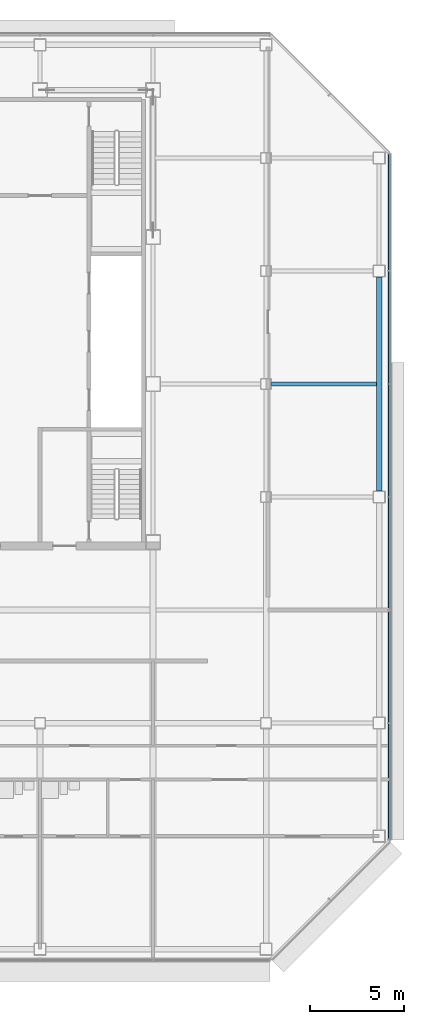
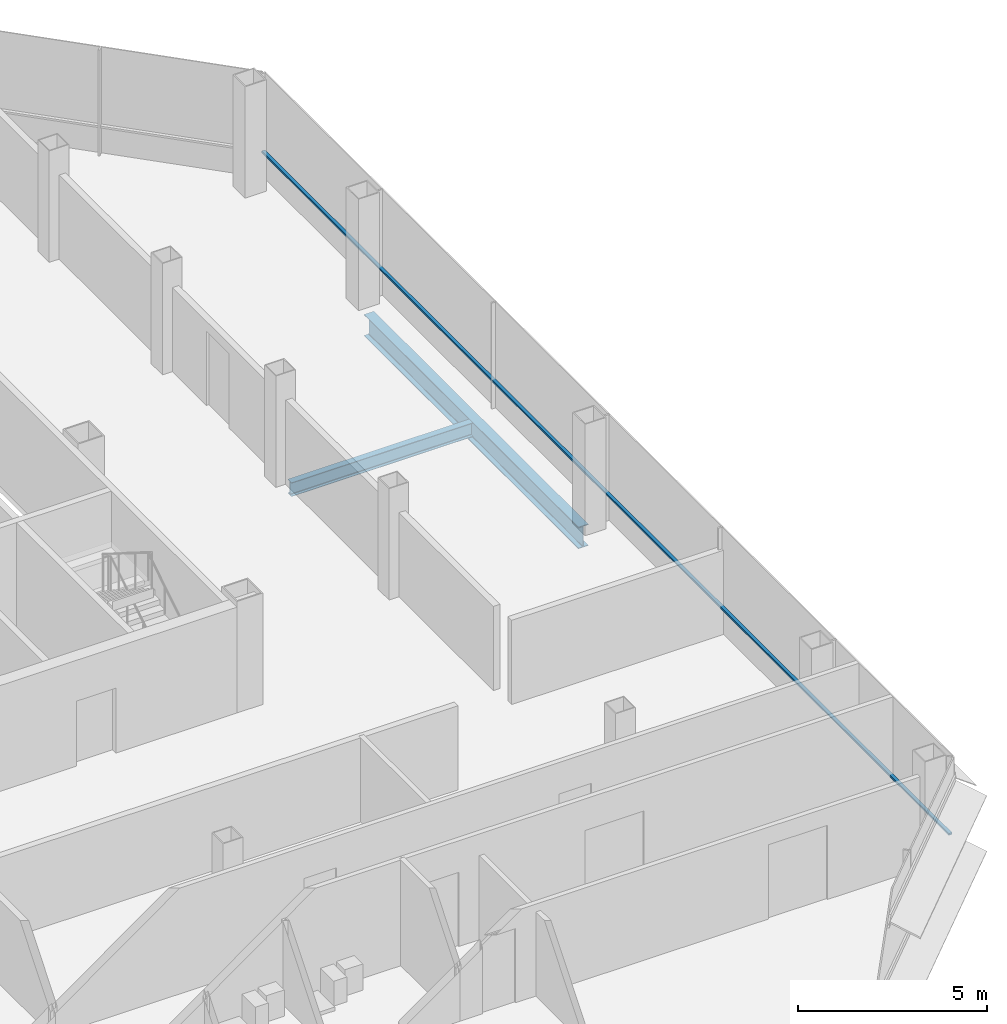
# One storey, part 17 of 27: 2 beams, 1 member, 1 element without a shape of its own.
"""IFC4 building model written with IfcOpenShell, lengths in metres."""

from ifc_helpers import new_model, si_unit, direction, frame, origin, origin_2d, place, context, subcontext, project, spatial, rectangle, i_section, extrude, material, material_profile, profile_set, type_object, element, aggregate, save


model = new_model("IFC4")

# Units and contexts
model_context = context("Model", 3, precision=1e-05, world=origin(), true_north=direction((0.0, 1.0)))
body_context = subcontext(model_context, "Body", "Model", "MODEL_VIEW")
ifc_project = project(units=[si_unit("LENGTHUNIT", "METRE"), si_unit("AREAUNIT", "SQUARE_METRE"), si_unit("VOLUMEUNIT", "CUBIC_METRE"), si_unit("PLANEANGLEUNIT", "RADIAN"), si_unit("MASSUNIT", "GRAM", prefix="KILO")], contexts=[model_context])

# Site, building, storey
site_placement = place(None, origin())
site = spatial("IfcSite", under=ifc_project, at=site_placement, CompositionType="ELEMENT")
building_placement = place(site_placement, origin())
building = spatial("IfcBuilding", under=site, at=building_placement, Name="Sorahane Residences", CompositionType="ELEMENT")
storey_placement = place(building_placement, frame((0.0, 0.0, 202.800048828125)))
storey = spatial("IfcBuildingStorey", under=building, at=storey_placement, Name="L47", CompositionType="ELEMENT", Elevation=202.800048828125)

# Curtain wall, member
ifc_material_1 = material(Name="Dark low-e glass and black anodised aluminium", Category="aluminium")
curtain_wall_type = type_object("IfcCurtainWallType", Name="Curtain wall CW-1 Typical unitised wall", PredefinedType="NOTDEFINED", material=ifc_material_1)
curtain_wall_placement = place(storey_placement, origin())
curtain_wall = element("IfcCurtainWall", 1, at=curtain_wall_placement, inside=storey, type_object=curtain_wall_type, Name="CW-1 curtain wall L47 E1", PredefinedType="NOTDEFINED")
ifc_material_2 = material(Name="Black anodised aluminium", Category="aluminium")
ifc_material_profile_1 = material_profile(ifc_material_2, rectangle(XDim=0.10009765625, YDim=0.06005859375, at=origin_2d()), Name="Curtain wall transom CW-1 black anodised aluminium 60x100")
ifc_profile_set_1 = profile_set([ifc_material_profile_1], Name="Black anodised aluminium")
member_type = type_object("IfcMemberType", Name="Curtain wall transom CW-1 black anodised aluminium 60x100", PredefinedType="USERDEFINED", material=ifc_profile_set_1)
member_placement = place(storey_placement, frame((54.530029296875, 5.801513671875, 0.89990234375), z_axis=(0.0, 1.0, 0.0), x_axis=(-1.0, 0.0, 0.0)))
member = element("IfcMember", 2, at=member_placement, type_object=member_type, Name="CW-1 transom L47 E1", ObjectType="TRANSOM", PredefinedType="USERDEFINED", context=body_context, shape_type="SweptSolid", body=[
    extrude(rectangle(XDim=0.10009765625, YDim=0.06005859375, at=origin_2d()), origin(), (0.0, 0.0, 1.0), 36.39697265625),
])
aggregate(curtain_wall, [member])

# Beams
ifc_material_3 = material(Name="Steel Q355B", Category="steel")
ifc_material_profile_2 = material_profile(ifc_material_3, i_section(OverallWidth=0.199951171875, OverallDepth=0.449951171875, WebThickness=0.009033203125, FlangeThickness=0.013916015625, FilletRadius=0.02001953125, at=origin_2d()), Name="HN 450x200x9x14")
ifc_profile_set_2 = profile_set([ifc_material_profile_2], Name="Steel Q355B")
beam_type_1 = type_object("IfcBeamType", Name="Steel floor beam HN 450x200x9x14 Q355B", PredefinedType="BEAM", material=ifc_profile_set_2)
beam_1_placement = place(storey_placement, frame((48.300048828125, 30.0, -0.405029296875), z_axis=(1.0, 0.0, 0.0), x_axis=(0.0, 1.0, 0.0)))
element("IfcBeam", 3, at=beam_1_placement, inside=storey, type_object=beam_type_1, Name="Beam L47 088", PredefinedType="BEAM", context=body_context, shape_type="SweptSolid", body=[
    extrude(i_section(OverallWidth=0.199951171875, OverallDepth=0.449951171875, WebThickness=0.009033203125, FlangeThickness=0.013916015625, FilletRadius=0.02001953125, at=origin_2d()), origin(), (0.0, 0.0, 1.0), 5.550048828125),
])
ifc_material_4 = material(Name="Steel Q355B", Category="steel")
ifc_material_profile_3 = material_profile(ifc_material_4, i_section(OverallWidth=0.300048828125, OverallDepth=0.699951171875, WebThickness=0.012939453125, FlangeThickness=0.02392578125, FilletRadius=0.028076171875, at=origin_2d()), Name="HN 700x300x13x24")
ifc_profile_set_3 = profile_set([ifc_material_profile_3], Name="Steel Q355B")
beam_type_2 = type_object("IfcBeamType", Name="Steel floor beam HN 700x300x13x24 Q355B", PredefinedType="BEAM", material=ifc_profile_set_3)
beam_2_placement = place(storey_placement, frame((54.0, 24.324951171875, -0.530029296875), z_axis=(0.0, 1.0, 0.0), x_axis=(-1.0, 0.0, 0.0)))
element("IfcBeam", 4, at=beam_2_placement, inside=storey, type_object=beam_type_2, Name="Beam L47 066", PredefinedType="BEAM", context=body_context, shape_type="SweptSolid", body=[
    extrude(i_section(OverallWidth=0.300048828125, OverallDepth=0.699951171875, WebThickness=0.012939453125, FlangeThickness=0.02392578125, FilletRadius=0.028076171875, at=origin_2d()), origin(), (0.0, 0.0, 1.0), 11.35009765625),
])

save(model, "model.ifc")
